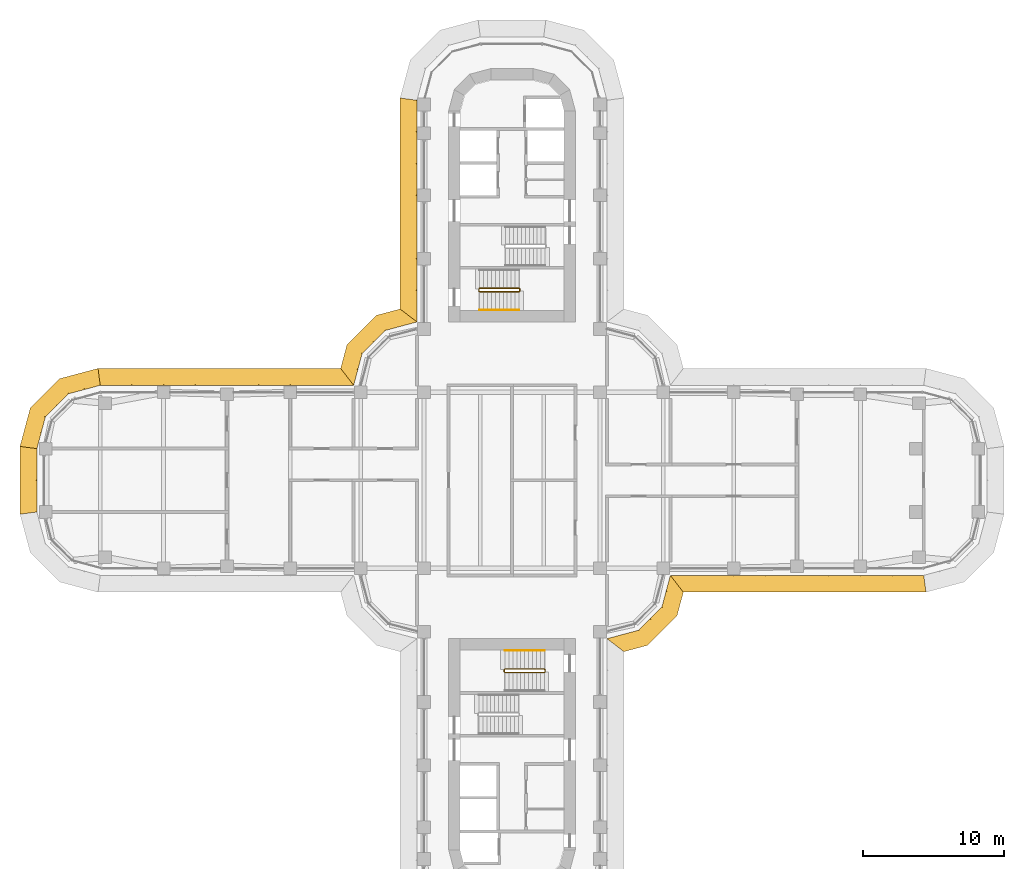
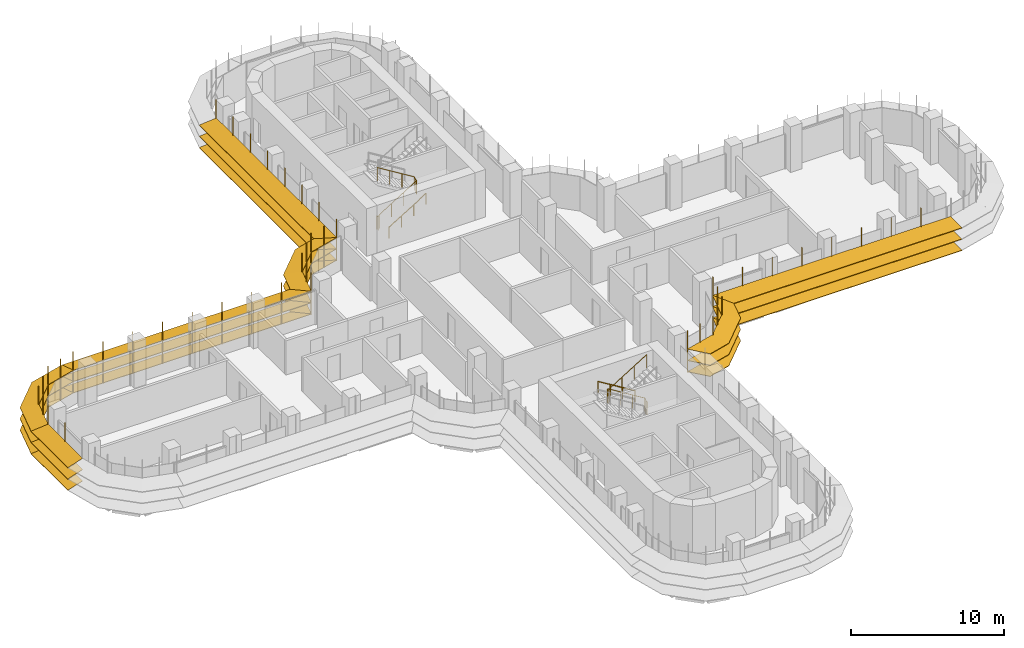
# One storey, part 20 of 22: 7 shading devices, 4 railings.
"""IFC4 building model written with IfcOpenShell, lengths in metres."""

from ifc_helpers import new_model, si_unit, direction, frame, origin, origin_2d, place, context, subcontext, project, spatial, polyline, circle, outline, extrude, faceted_brep, source, transform, mapped, material, type_object, element, save


model = new_model("IFC4")

# Units and contexts
model_context = context("Model", 3, precision=1e-05, world=origin(), true_north=direction((0.0, 1.0)))
body_context = subcontext(model_context, "Body", "Model", "MODEL_VIEW")
ifc_project = project(units=[si_unit("LENGTHUNIT", "METRE"), si_unit("AREAUNIT", "SQUARE_METRE"), si_unit("VOLUMEUNIT", "CUBIC_METRE"), si_unit("PLANEANGLEUNIT", "RADIAN"), si_unit("MASSUNIT", "GRAM", prefix="KILO")], contexts=[model_context])

# Site, building, storey
site_placement = place(None, origin())
site = spatial("IfcSite", under=ifc_project, at=site_placement, CompositionType="ELEMENT")
building_placement = place(site_placement, origin())
building = spatial("IfcBuilding", under=site, at=building_placement, Name="Zarbagh Exchange Tower", CompositionType="ELEMENT")
storey_placement = place(building_placement, frame((0.0, 0.0, 101.800048828125)))
storey = spatial("IfcBuildingStorey", under=building, at=storey_placement, Name="L23", CompositionType="ELEMENT", Elevation=101.800048828125)

# Railings
ifc_material_1 = material(Name="Stainless steel", Category="steel")
railing_type_1 = type_object("IfcRailingType", Name="Stair guard 1100 mm", PredefinedType="GUARDRAIL", material=ifc_material_1)
railing_1_placement = place(storey_placement, frame((-2.35009765625, 13.60009765625, 0.0)))
element("IfcRailing", 1, at=railing_1_placement, inside=storey, type_object=railing_type_1, Name="ST2 stair guard 1", PredefinedType="GUARDRAIL", context=body_context, shape_type="SweptSolid", body=[
    extrude(circle(Radius=0.02392578125, at=origin_2d()), frame((0.0, 0.0, 1.076171875), z_axis=(0.0, -1.0, 0.0), x_axis=(1.0, 0.0, 0.0)), (0.0, 0.0, 1.0), 0.150146484375),
    extrude(circle(Radius=0.02392578125, at=origin_2d()), frame((0.0, -0.150146484375, 1.076171875), z_axis=(0.268277960024, -0.268277960024, 0.925231793839), x_axis=(0.707106781187, 0.707106781187, 0.0)), (0.0, 0.0, 1.0), 0.1865234375),
    extrude(circle(Radius=0.02392578125, at=origin_2d()), frame((0.050048828125, -0.2001953125, 1.24853515625), z_axis=(0.851089632645, 0.0, 0.525020415988), x_axis=(0.0, 1.0, 0.0)), (0.0, 0.0, 1.0), 3.2900390625),
    extrude(circle(Radius=0.02392578125, at=origin_2d()), frame((2.85009765625, -0.2001953125, 2.97607421875), z_axis=(0.707106781187, 0.707106781187, 0.0), x_axis=(-0.707106781187, 0.707106781187, 0.0)), (0.0, 0.0, 1.0), 0.07080078125),
    extrude(circle(Radius=0.02392578125, at=origin_2d()), frame((2.900146484375, -0.150146484375, 2.97607421875), z_axis=(0.0, 1.0, 0.0), x_axis=(-1.0, 0.0, 0.0)), (0.0, 0.0, 1.0), 0.150146484375),
    extrude(circle(Radius=0.02392578125, at=origin_2d()), frame((2.900146484375, 0.0, 2.97607421875), z_axis=(-0.268047150085, 0.266739603011, 0.925743328097), x_axis=(-0.705375805398, -0.708833529934, 0.0)), (0.0, 0.0, 1.0), 0.186767578125),
    extrude(circle(Radius=0.02392578125, at=origin_2d()), frame((2.85009765625, 0.0498046875, 3.14892578125), z_axis=(-0.851089632645, 0.0, 0.525020415988), x_axis=(0.0, -1.0, 0.0)), (0.0, 0.0, 1.0), 3.2900390625),
    extrude(circle(Radius=0.02099609375, at=origin_2d()), origin(), (0.0, 0.0, 1.0), 1.052001953125),
    extrude(circle(Radius=0.02099609375, at=origin_2d()), frame((0.0, -0.150146484375, 0.0)), (0.0, 0.0, 1.0), 1.052001953125),
    extrude(circle(Radius=0.02099609375, at=origin_2d()), frame((0.050048828125, -0.2001953125, 0.172607421875)), (0.0, 0.0, 1.0), 1.052001953125),
    extrude(circle(Radius=0.02099609375, at=origin_2d()), frame((0.9833984375, -0.2001953125, 0.748291015625)), (0.0, 0.0, 1.0), 1.052001953125),
    extrude(circle(Radius=0.02099609375, at=origin_2d()), frame((1.916748046875, -0.2001953125, 1.32421875)), (0.0, 0.0, 1.0), 1.052001953125),
    extrude(circle(Radius=0.02099609375, at=origin_2d()), frame((2.85009765625, -0.2001953125, 1.89990234375)), (0.0, 0.0, 1.0), 1.052001953125),
    extrude(circle(Radius=0.02099609375, at=origin_2d()), frame((2.900146484375, -0.150146484375, 1.89990234375)), (0.0, 0.0, 1.0), 1.052001953125),
    extrude(circle(Radius=0.02099609375, at=origin_2d()), frame((2.900146484375, 0.0, 1.89990234375)), (0.0, 0.0, 1.0), 1.052001953125),
    extrude(circle(Radius=0.02099609375, at=origin_2d()), frame((2.85009765625, 0.0498046875, 2.07275390625)), (0.0, 0.0, 1.0), 1.052001953125),
    extrude(circle(Radius=0.02099609375, at=origin_2d()), frame((1.916748046875, 0.0498046875, 2.6484375)), (0.0, 0.0, 1.0), 1.052001953125),
    extrude(circle(Radius=0.02099609375, at=origin_2d()), frame((0.9833984375, 0.0498046875, 3.224365234375)), (0.0, 0.0, 1.0), 1.052001953125),
    extrude(circle(Radius=0.02099609375, at=origin_2d()), frame((0.050048828125, 0.0498046875, 3.800048828125)), (0.0, 0.0, 1.0), 1.052001953125),
])
railing_2_placement = place(storey_placement, frame((2.35009765625, -13.60009765625, 0.0)))
element("IfcRailing", 2, at=railing_2_placement, inside=storey, type_object=railing_type_1, Name="ST4 stair guard 1", PredefinedType="GUARDRAIL", context=body_context, shape_type="SweptSolid", body=[
    extrude(circle(Radius=0.02392578125, at=origin_2d()), frame((0.0, 0.0, 1.076171875), z_axis=(0.0, 1.0, 0.0), x_axis=(-1.0, 0.0, 0.0)), (0.0, 0.0, 1.0), 0.150146484375),
    extrude(circle(Radius=0.02392578125, at=origin_2d()), frame((0.0, 0.150146484375, 1.076171875), z_axis=(-0.268277960024, 0.268277960024, 0.925231793839), x_axis=(-0.707106781187, -0.707106781187, 0.0)), (0.0, 0.0, 1.0), 0.1865234375),
    extrude(circle(Radius=0.02392578125, at=origin_2d()), frame((-0.050048828125, 0.2001953125, 1.24853515625), z_axis=(-0.851089632645, 0.0, 0.525020415988), x_axis=(0.0, -1.0, 0.0)), (0.0, 0.0, 1.0), 3.2900390625),
    extrude(circle(Radius=0.02392578125, at=origin_2d()), frame((-2.85009765625, 0.2001953125, 2.97607421875), z_axis=(-0.707106781187, -0.707106781187, 0.0), x_axis=(0.707106781187, -0.707106781187, 0.0)), (0.0, 0.0, 1.0), 0.07080078125),
    extrude(circle(Radius=0.02392578125, at=origin_2d()), frame((-2.900146484375, 0.150146484375, 2.97607421875), z_axis=(0.0, -1.0, 0.0), x_axis=(1.0, 0.0, 0.0)), (0.0, 0.0, 1.0), 0.150146484375),
    extrude(circle(Radius=0.02392578125, at=origin_2d()), frame((-2.900146484375, 0.0, 2.97607421875), z_axis=(0.268047150085, -0.266739603011, 0.925743328097), x_axis=(0.705375805398, 0.708833529934, 0.0)), (0.0, 0.0, 1.0), 0.186767578125),
    extrude(circle(Radius=0.02392578125, at=origin_2d()), frame((-2.85009765625, -0.0498046875, 3.14892578125), z_axis=(0.851089632645, 0.0, 0.525020415988), x_axis=(0.0, 1.0, 0.0)), (0.0, 0.0, 1.0), 3.2900390625),
    extrude(circle(Radius=0.02099609375, at=origin_2d()), origin(), (0.0, 0.0, 1.0), 1.052001953125),
    extrude(circle(Radius=0.02099609375, at=origin_2d()), frame((0.0, 0.150146484375, 0.0)), (0.0, 0.0, 1.0), 1.052001953125),
    extrude(circle(Radius=0.02099609375, at=origin_2d()), frame((-0.050048828125, 0.2001953125, 0.172607421875)), (0.0, 0.0, 1.0), 1.052001953125),
    extrude(circle(Radius=0.02099609375, at=origin_2d()), frame((-0.9833984375, 0.2001953125, 0.748291015625)), (0.0, 0.0, 1.0), 1.052001953125),
    extrude(circle(Radius=0.02099609375, at=origin_2d()), frame((-1.916748046875, 0.2001953125, 1.32421875)), (0.0, 0.0, 1.0), 1.052001953125),
    extrude(circle(Radius=0.02099609375, at=origin_2d()), frame((-2.85009765625, 0.2001953125, 1.89990234375)), (0.0, 0.0, 1.0), 1.052001953125),
    extrude(circle(Radius=0.02099609375, at=origin_2d()), frame((-2.900146484375, 0.150146484375, 1.89990234375)), (0.0, 0.0, 1.0), 1.052001953125),
    extrude(circle(Radius=0.02099609375, at=origin_2d()), frame((-2.900146484375, 0.0, 1.89990234375)), (0.0, 0.0, 1.0), 1.052001953125),
    extrude(circle(Radius=0.02099609375, at=origin_2d()), frame((-2.85009765625, -0.0498046875, 2.07275390625)), (0.0, 0.0, 1.0), 1.052001953125),
    extrude(circle(Radius=0.02099609375, at=origin_2d()), frame((-1.916748046875, -0.0498046875, 2.6484375)), (0.0, 0.0, 1.0), 1.052001953125),
    extrude(circle(Radius=0.02099609375, at=origin_2d()), frame((-0.9833984375, -0.0498046875, 3.224365234375)), (0.0, 0.0, 1.0), 1.052001953125),
    extrude(circle(Radius=0.02099609375, at=origin_2d()), frame((-0.050048828125, -0.0498046875, 3.800048828125)), (0.0, 0.0, 1.0), 1.052001953125),
])
railing_type_2 = type_object("IfcRailingType", Name="Stair handrail 900 mm", PredefinedType="HANDRAIL", material=ifc_material_1)
railing_3_placement = place(storey_placement, frame((-2.300048828125, 12.10009765625, 0.172607421875)))
element("IfcRailing", 3, at=railing_3_placement, inside=storey, type_object=railing_type_2, Name="ST2 stair handrail 1", PredefinedType="HANDRAIL", context=body_context, shape_type="SweptSolid", body=[
    extrude(circle(Radius=0.02392578125, at=origin_2d()), frame((0.0, 0.0, 0.8759765625), z_axis=(0.851089632645, 0.0, 0.525020415988), x_axis=(0.0, 1.0, 0.0)), (0.0, 0.0, 1.0), 3.2900390625),
    extrude(circle(Radius=0.02099609375, at=origin_2d()), origin(), (0.0, 0.0, 1.0), 0.851806640625),
    extrude(circle(Radius=0.02099609375, at=origin_2d()), frame((0.933349609375, 0.0, 0.57568359375)), (0.0, 0.0, 1.0), 0.851806640625),
    extrude(circle(Radius=0.02099609375, at=origin_2d()), frame((1.86669921875, 0.0, 1.151611328125)), (0.0, 0.0, 1.0), 0.851806640625),
    extrude(circle(Radius=0.02099609375, at=origin_2d()), frame((2.800048828125, 0.0, 1.727294921875)), (0.0, 0.0, 1.0), 0.851806640625),
])
railing_4_placement = place(storey_placement, frame((2.300048828125, -12.10009765625, 0.172607421875)))
element("IfcRailing", 4, at=railing_4_placement, inside=storey, type_object=railing_type_2, Name="ST4 stair handrail 1", PredefinedType="HANDRAIL", context=body_context, shape_type="SweptSolid", body=[
    extrude(circle(Radius=0.02392578125, at=origin_2d()), frame((0.0, 0.0, 0.8759765625), z_axis=(-0.851089632645, 0.0, 0.525020415988), x_axis=(0.0, -1.0, 0.0)), (0.0, 0.0, 1.0), 3.2900390625),
    extrude(circle(Radius=0.02099609375, at=origin_2d()), origin(), (0.0, 0.0, 1.0), 0.851806640625),
    extrude(circle(Radius=0.02099609375, at=origin_2d()), frame((-0.933349609375, 0.0, 0.57568359375)), (0.0, 0.0, 1.0), 0.851806640625),
    extrude(circle(Radius=0.02099609375, at=origin_2d()), frame((-1.86669921875, 0.0, 1.151611328125)), (0.0, 0.0, 1.0), 0.851806640625),
    extrude(circle(Radius=0.02099609375, at=origin_2d()), frame((-2.800048828125, 0.0, 1.727294921875)), (0.0, 0.0, 1.0), 0.851806640625),
])

# Shading devices
ifc_material_2 = material(Name="Anodised aluminium blades and brackets", Category="aluminium")
shading_device_type = type_object("IfcShadingDeviceType", Name="SUNSHADE louvre band, 11.25 degree blades", PredefinedType="JALOUSIE", material=ifc_material_2)
shared_shape_1 = source(origin(), body_context, "Body", "Brep", [
    faceted_brep([(0.0, 0.0, 0.0), (0.0, 0.0, -0.040771484375), (-0.157958984375, -1.199951171875, -0.279541015625), (-0.157958984375, -1.199951171875, -0.23876953125), (2.65087890625, -1.199951171875, -0.23876953125), (2.65087890625, -1.199951171875, -0.279541015625), (2.329345703125, 0.0, -0.040771484375), (2.329345703125, 0.0, 0.0)], [[[0, 1, 2, 3]], [[4, 5, 6, 7]], [[0, 7, 6, 1]], [[1, 6, 5, 2]], [[2, 5, 4, 3]], [[3, 4, 7, 0]]]),
])
shared_shape_2 = source(origin(), body_context, "Body", "Brep", [
    faceted_brep([(0.0, 0.0, 0.0), (0.0, 0.0, -0.040771484375), (-0.321533203125, -1.199951171875, -0.279541015625), (-0.321533203125, -1.199951171875, -0.23876953125), (2.65087890625, -1.199951171875, -0.23876953125), (2.65087890625, -1.199951171875, -0.279541015625), (2.329345703125, 0.0, -0.040771484375), (2.329345703125, 0.0, 0.0)], [[[0, 1, 2, 3]], [[4, 5, 6, 7]], [[0, 7, 6, 1]], [[1, 6, 5, 2]], [[2, 5, 4, 3]], [[3, 4, 7, 0]]]),
])
shared_shape_3 = source(origin(), body_context, "Body", "Brep", [
    faceted_brep([(0.0, 0.0, 0.0), (0.0, 0.0, -0.040771484375), (-0.321533203125, -1.199951171875, -0.279541015625), (-0.321533203125, -1.199951171875, -0.23876953125), (2.4873046875, -1.199951171875, -0.23876953125), (2.4873046875, -1.199951171875, -0.279541015625), (2.329345703125, 0.0, -0.040771484375), (2.329345703125, 0.0, 0.0)], [[[0, 1, 2, 3]], [[4, 5, 6, 7]], [[0, 7, 6, 1]], [[1, 6, 5, 2]], [[2, 5, 4, 3]], [[3, 4, 7, 0]]]),
])
shared_shape_4 = source(origin(), body_context, "Body", "SweptSolid", [
    extrude(outline(polyline([(0.0, -0.012451171875), (0.06005859375, -0.012451171875), (0.06005859375, 0.012451171875), (0.0, 0.012451171875), (0.0, -0.012451171875)])), origin(), (0.0, 0.0, 1.0), 3.350830078125),
])
placement = place(storey_placement, origin())
element("IfcShadingDevice", 5, at=placement, inside=storey, type_object=shading_device_type, Name="SS17 sunshade band", PredefinedType="JALOUSIE", context=body_context, shape_type="MappedRepresentation", body=[
    mapped(shared_shape_1, transform((-29.25, 6.75, 2.300048828125), x_axis=(-0.965924289636, -0.258824779902, 0.0), y_axis=(0.258824779902, -0.965924289636, 0.0), z_axis=(0.0, 0.0, 1.0))),
    mapped(shared_shape_1, transform((-29.25, 6.75, 1.39990234375), x_axis=(-0.965924289636, -0.258824779902, 0.0), y_axis=(0.258824779902, -0.965924289636, 0.0), z_axis=(0.0, 0.0, 1.0))),
    mapped(shared_shape_1, transform((-29.25, 6.75, 0.5), x_axis=(-0.965924289636, -0.258824779902, 0.0), y_axis=(0.258824779902, -0.965924289636, 0.0), z_axis=(0.0, 0.0, 1.0))),
    mapped(shared_shape_2, transform((-31.5, 6.147216796875, 2.300048828125), x_axis=(-0.707106781187, -0.707106781187, 0.0), y_axis=(0.707106781187, -0.707106781187, 0.0), z_axis=(0.0, 0.0, 1.0))),
    mapped(shared_shape_2, transform((-31.5, 6.147216796875, 1.39990234375), x_axis=(-0.707106781187, -0.707106781187, 0.0), y_axis=(0.707106781187, -0.707106781187, 0.0), z_axis=(0.0, 0.0, 1.0))),
    mapped(shared_shape_2, transform((-31.5, 6.147216796875, 0.5), x_axis=(-0.707106781187, -0.707106781187, 0.0), y_axis=(0.707106781187, -0.707106781187, 0.0), z_axis=(0.0, 0.0, 1.0))),
    mapped(shared_shape_3, transform((-33.147216796875, 4.5, 2.300048828125), x_axis=(-0.258824779902, -0.965924289636, 0.0), y_axis=(0.965924289636, -0.258824779902, 0.0), z_axis=(0.0, 0.0, 1.0))),
    mapped(shared_shape_3, transform((-33.147216796875, 4.5, 1.39990234375), x_axis=(-0.258824779902, -0.965924289636, 0.0), y_axis=(0.965924289636, -0.258824779902, 0.0), z_axis=(0.0, 0.0, 1.0))),
    mapped(shared_shape_3, transform((-33.147216796875, 4.5, 0.5), x_axis=(-0.258824779902, -0.965924289636, 0.0), y_axis=(0.965924289636, -0.258824779902, 0.0), z_axis=(0.0, 0.0, 1.0))),
    mapped(shared_shape_4, transform((-29.25, 6.75, 0.42919921875), x_axis=(-0.130529263012, 0.991444457092, 0.0), y_axis=(-0.991444457092, -0.130529263012, 0.0), z_axis=(0.0, 0.0, 1.0))),
    mapped(shared_shape_4, transform((-30.375, 6.448486328125, 0.42919921875), x_axis=(-0.258825058029, 0.96592421511, 0.0), y_axis=(-0.96592421511, -0.258825058029, 0.0), z_axis=(0.0, 0.0, 1.0))),
    mapped(shared_shape_4, transform((-31.5, 6.147216796875, 0.42919921875), x_axis=(-0.50000275701, 0.866023812018, 0.0), y_axis=(-0.866023812018, -0.50000275701, 0.0), z_axis=(0.0, 0.0, 1.0))),
    mapped(shared_shape_4, transform((-32.323486328125, 5.323486328125, 0.42919921875), x_axis=(-0.707106781187, 0.707106781187, 0.0), y_axis=(-0.707106781187, -0.707106781187, 0.0), z_axis=(0.0, 0.0, 1.0))),
    mapped(shared_shape_4, transform((-33.147216796875, 4.5, 0.42919921875), x_axis=(-0.866023812018, 0.50000275701, 0.0), y_axis=(-0.50000275701, -0.866023812018, 0.0), z_axis=(0.0, 0.0, 1.0))),
    mapped(shared_shape_4, transform((-33.448486328125, 3.375, 0.42919921875), x_axis=(-0.96592421511, 0.258825058029, 0.0), y_axis=(-0.258825058029, -0.96592421511, 0.0), z_axis=(0.0, 0.0, 1.0))),
])
shared_shape_5 = source(origin(), body_context, "Body", "Brep", [
    faceted_brep([(0.0, 0.0, 0.0), (0.0, 0.0, -0.040771484375), (0.9208984375, -1.199951171875, -0.279541015625), (0.9208984375, -1.199951171875, -0.23876953125), (2.65087890625, -1.199951171875, -0.23876953125), (2.65087890625, -1.199951171875, -0.279541015625), (2.329345703125, 0.0, -0.040771484375), (2.329345703125, 0.0, 0.0)], [[[0, 1, 2, 3]], [[4, 5, 6, 7]], [[0, 7, 6, 1]], [[1, 6, 5, 2]], [[2, 5, 4, 3]], [[3, 4, 7, 0]]]),
])
shared_shape_6 = source(origin(), body_context, "Body", "Brep", [
    faceted_brep([(0.0, 0.0, 0.0), (0.0, 0.0, -0.040771484375), (-0.321533203125, -1.199951171875, -0.279541015625), (-0.321533203125, -1.199951171875, -0.23876953125), (1.40869140625, -1.199951171875, -0.23876953125), (1.40869140625, -1.199951171875, -0.279541015625), (2.329345703125, 0.0, -0.040771484375), (2.329345703125, 0.0, 0.0)], [[[0, 1, 2, 3]], [[4, 5, 6, 7]], [[0, 7, 6, 1]], [[1, 6, 5, 2]], [[2, 5, 4, 3]], [[3, 4, 7, 0]]]),
])
element("IfcShadingDevice", 6, at=placement, inside=storey, type_object=shading_device_type, Name="SS03 sunshade band", PredefinedType="JALOUSIE", context=body_context, shape_type="MappedRepresentation", body=[
    mapped(shared_shape_5, transform((6.75, -11.25, 2.300048828125), x_axis=(0.965924289636, 0.258824779902, 0.0), y_axis=(-0.258824779902, 0.965924289636, 0.0), z_axis=(0.0, 0.0, 1.0))),
    mapped(shared_shape_5, transform((6.75, -11.25, 1.39990234375), x_axis=(0.965924289636, 0.258824779902, 0.0), y_axis=(-0.258824779902, 0.965924289636, 0.0), z_axis=(0.0, 0.0, 1.0))),
    mapped(shared_shape_5, transform((6.75, -11.25, 0.5), x_axis=(0.965924289636, 0.258824779902, 0.0), y_axis=(-0.258824779902, 0.965924289636, 0.0), z_axis=(0.0, 0.0, 1.0))),
    mapped(shared_shape_2, transform((9.0, -10.647216796875, 2.300048828125), x_axis=(0.707106781187, 0.707106781187, 0.0), y_axis=(-0.707106781187, 0.707106781187, 0.0), z_axis=(0.0, 0.0, 1.0))),
    mapped(shared_shape_2, transform((9.0, -10.647216796875, 1.39990234375), x_axis=(0.707106781187, 0.707106781187, 0.0), y_axis=(-0.707106781187, 0.707106781187, 0.0), z_axis=(0.0, 0.0, 1.0))),
    mapped(shared_shape_2, transform((9.0, -10.647216796875, 0.5), x_axis=(0.707106781187, 0.707106781187, 0.0), y_axis=(-0.707106781187, 0.707106781187, 0.0), z_axis=(0.0, 0.0, 1.0))),
    mapped(shared_shape_6, transform((10.647216796875, -9.0, 2.300048828125), x_axis=(0.258824779902, 0.965924289636, 0.0), y_axis=(-0.965924289636, 0.258824779902, 0.0), z_axis=(0.0, 0.0, 1.0))),
    mapped(shared_shape_6, transform((10.647216796875, -9.0, 1.39990234375), x_axis=(0.258824779902, 0.965924289636, 0.0), y_axis=(-0.965924289636, 0.258824779902, 0.0), z_axis=(0.0, 0.0, 1.0))),
    mapped(shared_shape_6, transform((10.647216796875, -9.0, 0.5), x_axis=(0.258824779902, 0.965924289636, 0.0), y_axis=(-0.965924289636, 0.258824779902, 0.0), z_axis=(0.0, 0.0, 1.0))),
    mapped(shared_shape_4, transform((6.75, -11.25, 0.42919921875), x_axis=(0.793355287, -0.608758892, 0.0), y_axis=(0.608758892, 0.793355287, 0.0), z_axis=(0.0, 0.0, 1.0))),
    mapped(shared_shape_4, transform((7.875, -10.948486328125, 0.42919921875), x_axis=(0.258825058029, -0.96592421511, 0.0), y_axis=(0.96592421511, 0.258825058029, 0.0), z_axis=(0.0, 0.0, 1.0))),
    mapped(shared_shape_4, transform((9.0, -10.647216796875, 0.42919921875), x_axis=(0.50000275701, -0.866023812018, 0.0), y_axis=(0.866023812018, 0.50000275701, 0.0), z_axis=(0.0, 0.0, 1.0))),
    mapped(shared_shape_4, transform((9.823486328125, -9.823486328125, 0.42919921875), x_axis=(0.707106781187, -0.707106781187, 0.0), y_axis=(0.707106781187, 0.707106781187, 0.0), z_axis=(0.0, 0.0, 1.0))),
    mapped(shared_shape_4, transform((10.647216796875, -9.0, 0.42919921875), x_axis=(0.866023812018, -0.50000275701, 0.0), y_axis=(0.50000275701, 0.866023812018, 0.0), z_axis=(0.0, 0.0, 1.0))),
    mapped(shared_shape_4, transform((10.948486328125, -7.875, 0.42919921875), x_axis=(0.96592421511, -0.258825058029, 0.0), y_axis=(0.258825058029, 0.96592421511, 0.0), z_axis=(0.0, 0.0, 1.0))),
])
element("IfcShadingDevice", 7, at=placement, inside=storey, type_object=shading_device_type, Name="SS15 sunshade band", PredefinedType="JALOUSIE", context=body_context, shape_type="MappedRepresentation", body=[
    mapped(shared_shape_5, transform((-6.75, 11.25, 2.300048828125), x_axis=(-0.965924289636, -0.258824779902, 0.0), y_axis=(0.258824779902, -0.965924289636, 0.0), z_axis=(0.0, 0.0, 1.0))),
    mapped(shared_shape_5, transform((-6.75, 11.25, 1.39990234375), x_axis=(-0.965924289636, -0.258824779902, 0.0), y_axis=(0.258824779902, -0.965924289636, 0.0), z_axis=(0.0, 0.0, 1.0))),
    mapped(shared_shape_5, transform((-6.75, 11.25, 0.5), x_axis=(-0.965924289636, -0.258824779902, 0.0), y_axis=(0.258824779902, -0.965924289636, 0.0), z_axis=(0.0, 0.0, 1.0))),
    mapped(shared_shape_2, transform((-9.0, 10.647216796875, 2.300048828125), x_axis=(-0.707106781187, -0.707106781187, 0.0), y_axis=(0.707106781187, -0.707106781187, 0.0), z_axis=(0.0, 0.0, 1.0))),
    mapped(shared_shape_2, transform((-9.0, 10.647216796875, 1.39990234375), x_axis=(-0.707106781187, -0.707106781187, 0.0), y_axis=(0.707106781187, -0.707106781187, 0.0), z_axis=(0.0, 0.0, 1.0))),
    mapped(shared_shape_2, transform((-9.0, 10.647216796875, 0.5), x_axis=(-0.707106781187, -0.707106781187, 0.0), y_axis=(0.707106781187, -0.707106781187, 0.0), z_axis=(0.0, 0.0, 1.0))),
    mapped(shared_shape_6, transform((-10.647216796875, 9.0, 2.300048828125), x_axis=(-0.258824779902, -0.965924289636, 0.0), y_axis=(0.965924289636, -0.258824779902, 0.0), z_axis=(0.0, 0.0, 1.0))),
    mapped(shared_shape_6, transform((-10.647216796875, 9.0, 1.39990234375), x_axis=(-0.258824779902, -0.965924289636, 0.0), y_axis=(0.965924289636, -0.258824779902, 0.0), z_axis=(0.0, 0.0, 1.0))),
    mapped(shared_shape_6, transform((-10.647216796875, 9.0, 0.5), x_axis=(-0.258824779902, -0.965924289636, 0.0), y_axis=(0.965924289636, -0.258824779902, 0.0), z_axis=(0.0, 0.0, 1.0))),
    mapped(shared_shape_4, transform((-6.75, 11.25, 0.42919921875), x_axis=(-0.793355287, 0.608758892, 0.0), y_axis=(-0.608758892, -0.793355287, 0.0), z_axis=(0.0, 0.0, 1.0))),
    mapped(shared_shape_4, transform((-7.875, 10.948486328125, 0.42919921875), x_axis=(-0.258825058029, 0.96592421511, 0.0), y_axis=(-0.96592421511, -0.258825058029, 0.0), z_axis=(0.0, 0.0, 1.0))),
    mapped(shared_shape_4, transform((-9.0, 10.647216796875, 0.42919921875), x_axis=(-0.50000275701, 0.866023812018, 0.0), y_axis=(-0.866023812018, -0.50000275701, 0.0), z_axis=(0.0, 0.0, 1.0))),
    mapped(shared_shape_4, transform((-9.823486328125, 9.823486328125, 0.42919921875), x_axis=(-0.707106781187, 0.707106781187, 0.0), y_axis=(-0.707106781187, -0.707106781187, 0.0), z_axis=(0.0, 0.0, 1.0))),
    mapped(shared_shape_4, transform((-10.647216796875, 9.0, 0.42919921875), x_axis=(-0.866023812018, 0.50000275701, 0.0), y_axis=(-0.50000275701, -0.866023812018, 0.0), z_axis=(0.0, 0.0, 1.0))),
    mapped(shared_shape_4, transform((-10.948486328125, 7.875, 0.42919921875), x_axis=(-0.96592421511, 0.258825058029, 0.0), y_axis=(-0.258825058029, -0.96592421511, 0.0), z_axis=(0.0, 0.0, 1.0))),
])
shared_shape_7 = source(origin(), body_context, "Body", "Brep", [
    faceted_brep([(0.0, 0.0, 0.0), (0.0, 0.0, -0.040771484375), (0.9208984375, -1.199951171875, -0.279541015625), (0.9208984375, -1.199951171875, -0.23876953125), (18.157958984375, -1.199951171875, -0.23876953125), (18.157958984375, -1.199951171875, -0.279541015625), (18.0, 0.0, -0.040771484375), (18.0, 0.0, 0.0)], [[[0, 1, 2, 3]], [[4, 5, 6, 7]], [[0, 7, 6, 1]], [[1, 6, 5, 2]], [[2, 5, 4, 3]], [[3, 4, 7, 0]]]),
])
element("IfcShadingDevice", 8, at=placement, inside=storey, type_object=shading_device_type, Name="SS04 sunshade band", PredefinedType="JALOUSIE", context=body_context, shape_type="MappedRepresentation", body=[
    mapped(shared_shape_7, transform((11.25, -6.75, 2.300048828125), x_axis=(1.0, 0.0, 0.0), y_axis=(0.0, 1.0, 0.0), z_axis=(0.0, 0.0, 1.0))),
    mapped(shared_shape_7, transform((11.25, -6.75, 1.39990234375), x_axis=(1.0, 0.0, 0.0), y_axis=(0.0, 1.0, 0.0), z_axis=(0.0, 0.0, 1.0))),
    mapped(shared_shape_7, transform((11.25, -6.75, 0.5), x_axis=(1.0, 0.0, 0.0), y_axis=(0.0, 1.0, 0.0), z_axis=(0.0, 0.0, 1.0))),
    mapped(shared_shape_4, transform((11.25, -6.75, 0.42919921875), x_axis=(0.608758892, -0.793355287, 0.0), y_axis=(0.793355287, 0.608758892, 0.0), z_axis=(0.0, 0.0, 1.0))),
    mapped(shared_shape_4, transform((13.5, -6.75, 0.42919921875), x_axis=(0.0, -1.0, 0.0), y_axis=(1.0, 0.0, 0.0), z_axis=(0.0, 0.0, 1.0))),
    mapped(shared_shape_4, transform((15.75, -6.75, 0.42919921875), x_axis=(0.0, -1.0, 0.0), y_axis=(1.0, 0.0, 0.0), z_axis=(0.0, 0.0, 1.0))),
    mapped(shared_shape_4, transform((18.0, -6.75, 0.42919921875), x_axis=(0.0, -1.0, 0.0), y_axis=(1.0, 0.0, 0.0), z_axis=(0.0, 0.0, 1.0))),
    mapped(shared_shape_4, transform((20.25, -6.75, 0.42919921875), x_axis=(0.0, -1.0, 0.0), y_axis=(1.0, 0.0, 0.0), z_axis=(0.0, 0.0, 1.0))),
    mapped(shared_shape_4, transform((22.5, -6.75, 0.42919921875), x_axis=(0.0, -1.0, 0.0), y_axis=(1.0, 0.0, 0.0), z_axis=(0.0, 0.0, 1.0))),
    mapped(shared_shape_4, transform((24.75, -6.75, 0.42919921875), x_axis=(0.0, -1.0, 0.0), y_axis=(1.0, 0.0, 0.0), z_axis=(0.0, 0.0, 1.0))),
    mapped(shared_shape_4, transform((27.0, -6.75, 0.42919921875), x_axis=(0.0, -1.0, 0.0), y_axis=(1.0, 0.0, 0.0), z_axis=(0.0, 0.0, 1.0))),
])
shared_shape_8 = source(origin(), body_context, "Body", "Brep", [
    faceted_brep([(0.0, 0.0, 0.0), (0.0, 0.0, -0.040771484375), (-0.157958984375, -1.199951171875, -0.279541015625), (-0.157958984375, -1.199951171875, -0.23876953125), (14.8291015625, -1.199951171875, -0.23876953125), (14.8291015625, -1.199951171875, -0.279541015625), (15.75, 0.0, -0.040771484375), (15.75, 0.0, 0.0)], [[[0, 1, 2, 3]], [[4, 5, 6, 7]], [[0, 7, 6, 1]], [[1, 6, 5, 2]], [[2, 5, 4, 3]], [[3, 4, 7, 0]]]),
])
element("IfcShadingDevice", 9, at=placement, inside=storey, type_object=shading_device_type, Name="SS29 sunshade band", PredefinedType="JALOUSIE", context=body_context, shape_type="MappedRepresentation", body=[
    mapped(shared_shape_8, transform((-6.75, 27.0, 2.300048828125), x_axis=(0.0, -1.0, 0.0), y_axis=(1.0, 0.0, 0.0), z_axis=(0.0, 0.0, 1.0))),
    mapped(shared_shape_8, transform((-6.75, 27.0, 1.39990234375), x_axis=(0.0, -1.0, 0.0), y_axis=(1.0, 0.0, 0.0), z_axis=(0.0, 0.0, 1.0))),
    mapped(shared_shape_8, transform((-6.75, 27.0, 0.5), x_axis=(0.0, -1.0, 0.0), y_axis=(1.0, 0.0, 0.0), z_axis=(0.0, 0.0, 1.0))),
    mapped(shared_shape_4, transform((-6.75, 27.0, 0.42919921875), x_axis=(-0.991444457092, 0.130529263012, 0.0), y_axis=(-0.130529263012, -0.991444457092, 0.0), z_axis=(0.0, 0.0, 1.0))),
    mapped(shared_shape_4, transform((-6.75, 24.75, 0.42919921875), x_axis=(-1.0, 0.0, 0.0), y_axis=(0.0, -1.0, 0.0), z_axis=(0.0, 0.0, 1.0))),
    mapped(shared_shape_4, transform((-6.75, 22.5, 0.42919921875), x_axis=(-1.0, 0.0, 0.0), y_axis=(0.0, -1.0, 0.0), z_axis=(0.0, 0.0, 1.0))),
    mapped(shared_shape_4, transform((-6.75, 20.25, 0.42919921875), x_axis=(-1.0, 0.0, 0.0), y_axis=(0.0, -1.0, 0.0), z_axis=(0.0, 0.0, 1.0))),
    mapped(shared_shape_4, transform((-6.75, 18.0, 0.42919921875), x_axis=(-1.0, 0.0, 0.0), y_axis=(0.0, -1.0, 0.0), z_axis=(0.0, 0.0, 1.0))),
    mapped(shared_shape_4, transform((-6.75, 15.75, 0.42919921875), x_axis=(-1.0, 0.0, 0.0), y_axis=(0.0, -1.0, 0.0), z_axis=(0.0, 0.0, 1.0))),
    mapped(shared_shape_4, transform((-6.75, 13.5, 0.42919921875), x_axis=(-1.0, 0.0, 0.0), y_axis=(0.0, -1.0, 0.0), z_axis=(0.0, 0.0, 1.0))),
])
element("IfcShadingDevice", 10, at=placement, inside=storey, type_object=shading_device_type, Name="SS16 sunshade band", PredefinedType="JALOUSIE", context=body_context, shape_type="MappedRepresentation", body=[
    mapped(shared_shape_7, transform((-11.25, 6.75, 2.300048828125), x_axis=(-1.0, 0.0, 0.0), y_axis=(0.0, -1.0, 0.0), z_axis=(0.0, 0.0, 1.0))),
    mapped(shared_shape_7, transform((-11.25, 6.75, 1.39990234375), x_axis=(-1.0, 0.0, 0.0), y_axis=(0.0, -1.0, 0.0), z_axis=(0.0, 0.0, 1.0))),
    mapped(shared_shape_7, transform((-11.25, 6.75, 0.5), x_axis=(-1.0, 0.0, 0.0), y_axis=(0.0, -1.0, 0.0), z_axis=(0.0, 0.0, 1.0))),
    mapped(shared_shape_4, transform((-11.25, 6.75, 0.42919921875), x_axis=(-0.608758892, 0.793355287, 0.0), y_axis=(-0.793355287, -0.608758892, 0.0), z_axis=(0.0, 0.0, 1.0))),
    mapped(shared_shape_4, transform((-13.5, 6.75, 0.42919921875), x_axis=(0.0, 1.0, 0.0), y_axis=(-1.0, 0.0, 0.0), z_axis=(0.0, 0.0, 1.0))),
    mapped(shared_shape_4, transform((-15.75, 6.75, 0.42919921875), x_axis=(0.0, 1.0, 0.0), y_axis=(-1.0, 0.0, 0.0), z_axis=(0.0, 0.0, 1.0))),
    mapped(shared_shape_4, transform((-18.0, 6.75, 0.42919921875), x_axis=(0.0, 1.0, 0.0), y_axis=(-1.0, 0.0, 0.0), z_axis=(0.0, 0.0, 1.0))),
    mapped(shared_shape_4, transform((-20.25, 6.75, 0.42919921875), x_axis=(0.0, 1.0, 0.0), y_axis=(-1.0, 0.0, 0.0), z_axis=(0.0, 0.0, 1.0))),
    mapped(shared_shape_4, transform((-22.5, 6.75, 0.42919921875), x_axis=(0.0, 1.0, 0.0), y_axis=(-1.0, 0.0, 0.0), z_axis=(0.0, 0.0, 1.0))),
    mapped(shared_shape_4, transform((-24.75, 6.75, 0.42919921875), x_axis=(0.0, 1.0, 0.0), y_axis=(-1.0, 0.0, 0.0), z_axis=(0.0, 0.0, 1.0))),
    mapped(shared_shape_4, transform((-27.0, 6.75, 0.42919921875), x_axis=(0.0, 1.0, 0.0), y_axis=(-1.0, 0.0, 0.0), z_axis=(0.0, 0.0, 1.0))),
])
shared_shape_9 = source(origin(), body_context, "Body", "Brep", [
    faceted_brep([(0.0, 0.0, 0.0), (0.0, 0.0, -0.040771484375), (-0.157958984375, -1.199951171875, -0.279541015625), (-0.157958984375, -1.199951171875, -0.23876953125), (4.657958984375, -1.199951171875, -0.23876953125), (4.657958984375, -1.199951171875, -0.279541015625), (4.5, 0.0, -0.040771484375), (4.5, 0.0, 0.0)], [[[0, 1, 2, 3]], [[4, 5, 6, 7]], [[0, 7, 6, 1]], [[1, 6, 5, 2]], [[2, 5, 4, 3]], [[3, 4, 7, 0]]]),
])
element("IfcShadingDevice", 11, at=placement, inside=storey, type_object=shading_device_type, Name="SS18 sunshade band", PredefinedType="JALOUSIE", context=body_context, shape_type="MappedRepresentation", body=[
    mapped(shared_shape_9, transform((-33.75, 2.25, 2.300048828125), x_axis=(0.0, -1.0, 0.0), y_axis=(1.0, 0.0, 0.0), z_axis=(0.0, 0.0, 1.0))),
    mapped(shared_shape_9, transform((-33.75, 2.25, 1.39990234375), x_axis=(0.0, -1.0, 0.0), y_axis=(1.0, 0.0, 0.0), z_axis=(0.0, 0.0, 1.0))),
    mapped(shared_shape_9, transform((-33.75, 2.25, 0.5), x_axis=(0.0, -1.0, 0.0), y_axis=(1.0, 0.0, 0.0), z_axis=(0.0, 0.0, 1.0))),
    mapped(shared_shape_4, transform((-33.75, 2.25, 0.42919921875), x_axis=(-0.991444457092, 0.130529263012, 0.0), y_axis=(-0.130529263012, -0.991444457092, 0.0), z_axis=(0.0, 0.0, 1.0))),
    mapped(shared_shape_4, transform((-33.75, 0.0, 0.42919921875), x_axis=(-1.0, 0.0, 0.0), y_axis=(0.0, -1.0, 0.0), z_axis=(0.0, 0.0, 1.0))),
])

save(model, "model.ifc")
